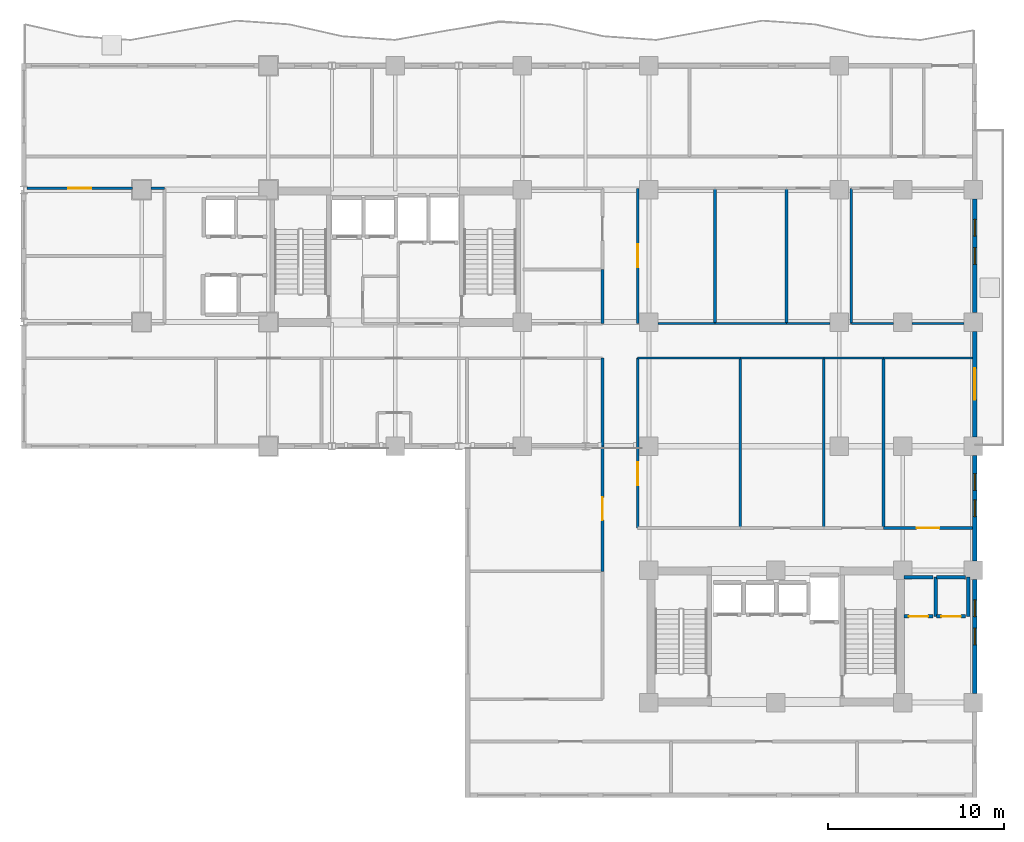
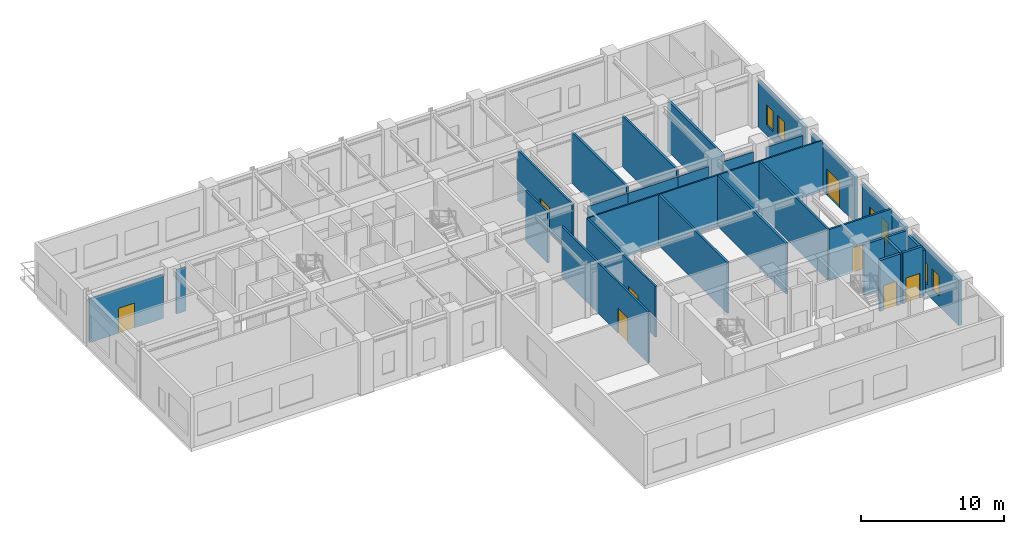
# One storey, part 7 of 14: 33 walls, 8 doors, 6 windows, 14 openings.
"""IFC4 building model written with IfcOpenShell, lengths in metres."""

from ifc_helpers import new_model, si_unit, direction, frame, frame_2d, origin, place, context, subcontext, project, spatial, rectangle, extrude, material, layer, layer_set, type_object, element, fill, save


model = new_model("IFC4")

# Units and contexts
model_context = context("Model", 3, precision=1e-05, world=origin(), true_north=direction((0.0, 1.0)))
body_context = subcontext(model_context, "Body", "Model", "MODEL_VIEW")
ifc_project = project(units=[si_unit("LENGTHUNIT", "METRE"), si_unit("AREAUNIT", "SQUARE_METRE"), si_unit("VOLUMEUNIT", "CUBIC_METRE"), si_unit("PLANEANGLEUNIT", "RADIAN"), si_unit("MASSUNIT", "GRAM", prefix="KILO")], contexts=[model_context])

# Site, building, storey
site_placement = place(None, origin())
site = spatial("IfcSite", under=ifc_project, at=site_placement, CompositionType="ELEMENT")
building_placement = place(site_placement, origin())
building = spatial("IfcBuilding", under=site, at=building_placement, Name="Kaliganga Portal Commons", CompositionType="ELEMENT")
storey_placement = place(building_placement, frame((0.0, 0.0, 135.60009765625)))
storey = spatial("IfcBuildingStorey", under=building, at=storey_placement, Name="L34", CompositionType="ELEMENT", Elevation=135.60009765625)

# Wall, openings, windows
ifc_material_1 = material(Name="Insulated Aluminium-Clad Spandrel Assembly", Category="aluminium")
ifc_layer_1 = layer(ifc_material_1, 0.260009765625)
ifc_layer_set_1 = layer_set([ifc_layer_1], Name="Insulated Aluminium-Clad Spandrel Assembly")
wall_type_1 = type_object("IfcWallType", Name="WL-EXT-SPAND-260", PredefinedType="STANDARD", material=ifc_layer_set_1)
wall_1_placement = place(storey_placement, frame((54.5, 14.02392578125, 0.0), z_axis=(0.0, 0.0, 1.0), x_axis=(0.0, -1.0, 0.0)))
wall_1 = element("IfcWall", 1, at=wall_1_placement, inside=storey, type_object=wall_type_1, Name="Exterior Envelope Wall L34 P1-E01-S2", PredefinedType="STANDARD", context=body_context, shape_type="SweptSolid", body=[
    extrude(rectangle(XDim=6.447998046875, YDim=0.260009765625, at=frame_2d((3.22412109375, 0.0))), origin(), (0.0, 0.0, 1.0), 3.889892578125),
])
opening_1_placement = place(wall_1_placement, frame((2.7490234375, 0.0, 0.85009765625)))
opening_1 = element("IfcOpeningElement", 2, at=opening_1_placement, cuts=wall_1, Name="Opening W-04", PredefinedType="OPENING", context=body_context, shape_type="SweptSolid", body=[
    extrude(rectangle(XDim=0.949951171875, YDim=1.75, at=frame_2d((0.47509765625, 0.875))), frame((0.0, 0.14013671875, 0.0), z_axis=(0.0, -1.0, 0.0), x_axis=(1.0, 0.0, 0.0)), (0.0, 0.0, 1.0), 0.280029296875),
])
opening_2_placement = place(wall_1_placement, frame((1.14990234375, 0.0, 0.85009765625)))
opening_2 = element("IfcOpeningElement", 3, at=opening_2_placement, cuts=wall_1, Name="Opening W-04", PredefinedType="OPENING", context=body_context, shape_type="SweptSolid", body=[
    extrude(rectangle(XDim=0.949951171875, YDim=1.75, at=frame_2d((0.47509765625, 0.875))), frame((0.0, 0.14013671875, 0.0), z_axis=(0.0, -1.0, 0.0), x_axis=(1.0, 0.0, 0.0)), (0.0, 0.0, 1.0), 0.280029296875),
])
ifc_material_2 = material(Name="Thermally Broken Aluminium and Low-E Double Glazing", Category="aluminium")
window_type = type_object("IfcWindowType", Name="WIN-NARROW-950", PartitioningType="SINGLE_PANEL", PredefinedType="WINDOW", material=ifc_material_2)
window_1_placement = place(opening_1_placement, origin())
window_1 = element("IfcWindow", 4, at=window_1_placement, inside=storey, type_object=window_type, Name="Facade Window L34-P1E01S2-N0", OverallHeight=1.75, OverallWidth=0.949951171875, PartitioningType="SINGLE_PANEL", PredefinedType="WINDOW", context=body_context, shape_type="SweptSolid", body=[
    extrude(rectangle(XDim=0.949951171875, YDim=1.75, at=frame_2d((0.47509765625, 0.875))), frame((0.0, 0.030029296875, 0.0), z_axis=(0.0, -1.0, 0.0), x_axis=(1.0, 0.0, 0.0)), (0.0, 0.0, 1.0), 0.06005859375),
])
fill(opening_1, window_1)
window_2_placement = place(opening_2_placement, origin())
window_2 = element("IfcWindow", 5, at=window_2_placement, inside=storey, type_object=window_type, Name="Facade Window L34-P1E01S2-N1", OverallHeight=1.75, OverallWidth=0.949951171875, PartitioningType="SINGLE_PANEL", PredefinedType="WINDOW", context=body_context, shape_type="SweptSolid", body=[
    extrude(rectangle(XDim=0.949951171875, YDim=1.75, at=frame_2d((0.47509765625, 0.875))), frame((0.0, 0.030029296875, 0.0), z_axis=(0.0, -1.0, 0.0), x_axis=(1.0, 0.0, 0.0)), (0.0, 0.0, 1.0), 0.06005859375),
])
fill(opening_2, window_2)

wall_2_placement = place(storey_placement, frame((54.5, 21.073974609375, 0.0), z_axis=(0.0, 0.0, 1.0), x_axis=(0.0, -1.0, 0.0)))
wall_2 = element("IfcWall", 6, at=wall_2_placement, inside=storey, type_object=wall_type_1, Name="Exterior Envelope Wall L34 P1-E01-S3", PredefinedType="STANDARD", context=body_context, shape_type="SweptSolid", body=[
    extrude(rectangle(XDim=5.998046875, YDim=0.260009765625, at=frame_2d((2.9990234375, 0.0))), origin(), (0.0, 0.0, 1.0), 3.889892578125),
])
opening_3_placement = place(wall_2_placement, frame((2.52392578125, 0.0, 0.85009765625)))
opening_3 = element("IfcOpeningElement", 7, at=opening_3_placement, cuts=wall_2, Name="Opening W-04", PredefinedType="OPENING", context=body_context, shape_type="SweptSolid", body=[
    extrude(rectangle(XDim=0.949951171875, YDim=1.75, at=frame_2d((0.47509765625, 0.875))), frame((0.0, 0.14013671875, 0.0), z_axis=(0.0, -1.0, 0.0), x_axis=(1.0, 0.0, 0.0)), (0.0, 0.0, 1.0), 0.280029296875),
])
opening_4_placement = place(wall_2_placement, frame((1.03662109375, 0.0, 0.85009765625)))
opening_4 = element("IfcOpeningElement", 8, at=opening_4_placement, cuts=wall_2, Name="Opening W-04", PredefinedType="OPENING", context=body_context, shape_type="SweptSolid", body=[
    extrude(rectangle(XDim=0.949951171875, YDim=1.75, at=frame_2d((0.47509765625, 0.875))), frame((0.0, 0.14013671875, 0.0), z_axis=(0.0, -1.0, 0.0), x_axis=(1.0, 0.0, 0.0)), (0.0, 0.0, 1.0), 0.280029296875),
])
window_3_placement = place(opening_3_placement, origin())
window_3 = element("IfcWindow", 9, at=window_3_placement, inside=storey, type_object=window_type, Name="Facade Window L34-P1E01S3-N0", OverallHeight=1.75, OverallWidth=0.949951171875, PartitioningType="SINGLE_PANEL", PredefinedType="WINDOW", context=body_context, shape_type="SweptSolid", body=[
    extrude(rectangle(XDim=0.949951171875, YDim=1.75, at=frame_2d((0.47509765625, 0.875))), frame((0.0, 0.030029296875, 0.0), z_axis=(0.0, -1.0, 0.0), x_axis=(1.0, 0.0, 0.0)), (0.0, 0.0, 1.0), 0.06005859375),
])
fill(opening_3, window_3)
window_4_placement = place(opening_4_placement, origin())
window_4 = element("IfcWindow", 10, at=window_4_placement, inside=storey, type_object=window_type, Name="Facade Window L34-P1E01S3-N1", OverallHeight=1.75, OverallWidth=0.949951171875, PartitioningType="SINGLE_PANEL", PredefinedType="WINDOW", context=body_context, shape_type="SweptSolid", body=[
    extrude(rectangle(XDim=0.949951171875, YDim=1.75, at=frame_2d((0.47509765625, 0.875))), frame((0.0, 0.030029296875, 0.0), z_axis=(0.0, -1.0, 0.0), x_axis=(1.0, 0.0, 0.0)), (0.0, 0.0, 1.0), 0.06005859375),
])
fill(opening_4, window_4)

# Wall, opening, door
wall_3_placement = place(storey_placement, frame((54.5, 28.1240234375, 0.0), z_axis=(0.0, 0.0, 1.0), x_axis=(0.0, -1.0, 0.0)))
wall_3 = element("IfcWall", 11, at=wall_3_placement, inside=storey, type_object=wall_type_1, Name="Exterior Envelope Wall L34 P1-E01-S4", PredefinedType="STANDARD", context=body_context, shape_type="SweptSolid", body=[
    extrude(rectangle(XDim=5.998046875, YDim=0.260009765625, at=frame_2d((2.9990234375, 0.0))), origin(), (0.0, 0.0, 1.0), 3.889892578125),
])
opening_5_placement = place(wall_3_placement, frame((2.09912109375, 0.0, 0.0)))
opening_5 = element("IfcOpeningElement", 12, at=opening_5_placement, cuts=wall_3, Name="Opening TD-01", PredefinedType="OPENING", context=body_context, shape_type="SweptSolid", body=[
    extrude(rectangle(XDim=1.800048828125, YDim=2.199951171875, at=frame_2d((0.89990234375, 1.10009765625))), frame((0.0, 0.14013671875, 0.0), z_axis=(0.0, -1.0, 0.0), x_axis=(1.0, 0.0, 0.0)), (0.0, 0.0, 1.0), 0.280029296875),
])
ifc_material_3 = material(Name="Anodized Aluminium and Laminated Safety Glass", Category="aluminium")
door_type_1 = type_object("IfcDoorType", Name="DR-TERR-1800", OperationType="DOUBLE_DOOR_SINGLE_SWING", PredefinedType="DOOR", material=ifc_material_3)
door_1_placement = place(opening_5_placement, origin())
door_1 = element("IfcDoor", 13, at=door_1_placement, inside=storey, type_object=door_type_1, Name="Terrace Access Door L34 skygarden_l34", OperationType="DOUBLE_DOOR_SINGLE_SWING", OverallHeight=2.199951171875, OverallWidth=1.800048828125, PredefinedType="DOOR", context=body_context, shape_type="SweptSolid", body=[
    extrude(rectangle(XDim=1.800048828125, YDim=2.199951171875, at=frame_2d((0.89990234375, 1.10009765625))), frame((0.0, 0.02490234375, 0.0), z_axis=(0.0, -1.0, 0.0), x_axis=(1.0, 0.0, 0.0)), (0.0, 0.0, 1.0), 0.050048828125),
])
fill(opening_5, door_1)

# Wall, openings, windows
wall_4_placement = place(storey_placement, frame((54.5, 35.6240234375, 0.0), z_axis=(0.0, 0.0, 1.0), x_axis=(0.0, -1.0, 0.0)))
wall_4 = element("IfcWall", 14, at=wall_4_placement, inside=storey, type_object=wall_type_1, Name="Exterior Envelope Wall L34 P1-E01-S5", PredefinedType="STANDARD", context=body_context, shape_type="SweptSolid", body=[
    extrude(rectangle(XDim=6.447998046875, YDim=0.260009765625, at=frame_2d((3.22412109375, 0.0))), origin(), (0.0, 0.0, 1.0), 3.889892578125),
])
opening_6_placement = place(wall_4_placement, frame((2.7490234375, 0.0, 0.85009765625)))
opening_6 = element("IfcOpeningElement", 15, at=opening_6_placement, cuts=wall_4, Name="Opening W-04", PredefinedType="OPENING", context=body_context, shape_type="SweptSolid", body=[
    extrude(rectangle(XDim=0.949951171875, YDim=1.75, at=frame_2d((0.47509765625, 0.875))), frame((0.0, 0.14013671875, 0.0), z_axis=(0.0, -1.0, 0.0), x_axis=(1.0, 0.0, 0.0)), (0.0, 0.0, 1.0), 0.280029296875),
])
opening_7_placement = place(wall_4_placement, frame((1.14990234375, 0.0, 0.85009765625)))
opening_7 = element("IfcOpeningElement", 16, at=opening_7_placement, cuts=wall_4, Name="Opening W-04", PredefinedType="OPENING", context=body_context, shape_type="SweptSolid", body=[
    extrude(rectangle(XDim=0.949951171875, YDim=1.75, at=frame_2d((0.47509765625, 0.875))), frame((0.0, 0.14013671875, 0.0), z_axis=(0.0, -1.0, 0.0), x_axis=(1.0, 0.0, 0.0)), (0.0, 0.0, 1.0), 0.280029296875),
])
window_5_placement = place(opening_6_placement, origin())
window_5 = element("IfcWindow", 17, at=window_5_placement, inside=storey, type_object=window_type, Name="Facade Window L34-P1E01S5-N0", OverallHeight=1.75, OverallWidth=0.949951171875, PartitioningType="SINGLE_PANEL", PredefinedType="WINDOW", context=body_context, shape_type="SweptSolid", body=[
    extrude(rectangle(XDim=0.949951171875, YDim=1.75, at=frame_2d((0.47509765625, 0.875))), frame((0.0, 0.030029296875, 0.0), z_axis=(0.0, -1.0, 0.0), x_axis=(1.0, 0.0, 0.0)), (0.0, 0.0, 1.0), 0.06005859375),
])
fill(opening_6, window_5)
window_6_placement = place(opening_7_placement, origin())
window_6 = element("IfcWindow", 18, at=window_6_placement, inside=storey, type_object=window_type, Name="Facade Window L34-P1E01S5-N1", OverallHeight=1.75, OverallWidth=0.949951171875, PartitioningType="SINGLE_PANEL", PredefinedType="WINDOW", context=body_context, shape_type="SweptSolid", body=[
    extrude(rectangle(XDim=0.949951171875, YDim=1.75, at=frame_2d((0.47509765625, 0.875))), frame((0.0, 0.030029296875, 0.0), z_axis=(0.0, -1.0, 0.0), x_axis=(1.0, 0.0, 0.0)), (0.0, 0.0, 1.0), 0.06005859375),
])
fill(opening_7, window_6)

# Wall, opening, door
ifc_material_4 = material(Name="Fire-Rated Gypsum Board on Steel Stud", Category="steel")
ifc_layer_2 = layer(ifc_material_4, 0.14990234375)
ifc_layer_set_2 = layer_set([ifc_layer_2], Name="Fire-Rated Gypsum Board on Steel Stud")
wall_type_2 = type_object("IfcWallType", Name="WL-PART-CORR-150", PredefinedType="PARTITIONING", material=ifc_layer_set_2)
wall_5_placement = place(storey_placement, frame((35.360107421875, 16.9599609375, 0.0), z_axis=(0.0, 0.0, 1.0), x_axis=(0.0, 1.0, 0.0)))
wall_5 = element("IfcWall", 19, at=wall_5_placement, inside=storey, type_object=wall_type_2, Name="Interior Partition L34-010", PredefinedType="PARTITIONING", context=body_context, shape_type="SweptSolid", body=[
    extrude(rectangle(XDim=9.64013671875, YDim=0.14990234375, at=frame_2d((4.820068359375, 0.0))), origin(), (0.0, 0.0, 1.0), 4.33984375),
])
opening_8_placement = place(wall_5_placement, frame((2.434814453125, 0.0, 0.0)))
opening_8 = element("IfcOpeningElement", 20, at=opening_8_placement, cuts=wall_5, Name="Opening RD-03", PredefinedType="OPENING", context=body_context, shape_type="SweptSolid", body=[
    extrude(rectangle(XDim=1.300048828125, YDim=2.1201171875, at=frame_2d((0.64990234375, 1.06005859375))), frame((0.0, 0.0849609375, 0.0), z_axis=(0.0, -1.0, 0.0), x_axis=(1.0, 0.0, 0.0)), (0.0, 0.0, 1.0), 0.169921875),
])
ifc_material_5 = material(Name="Glazed Timber Seminar Vision Door", Category="wood")
door_type_2 = type_object("IfcDoorType", Name="DR-STUDY-1300", OperationType="DOUBLE_DOOR_SINGLE_SWING", PredefinedType="DOOR", material=ifc_material_5)
door_2_placement = place(opening_8_placement, origin())
door_2 = element("IfcDoor", 21, at=door_2_placement, inside=storey, type_object=door_type_2, Name="Interior Door L34-BM01", OperationType="DOUBLE_DOOR_SINGLE_SWING", OverallHeight=2.1201171875, OverallWidth=1.300048828125, PredefinedType="DOOR", context=body_context, shape_type="SweptSolid", body=[
    extrude(rectangle(XDim=1.300048828125, YDim=2.1201171875, at=frame_2d((0.64990234375, 1.06005859375))), frame((0.0, 0.02490234375, 0.0), z_axis=(0.0, -1.0, 0.0), x_axis=(1.0, 0.0, 0.0)), (0.0, 0.0, 1.0), 0.050048828125),
])
fill(opening_8, door_2)

wall_6_placement = place(storey_placement, frame((0.701904296875, 36.239990234375, 0.0), z_axis=(0.0, 0.0, 1.0), x_axis=(1.0, 0.0, 0.0)))
wall_6 = element("IfcWall", 22, at=wall_6_placement, inside=storey, type_object=wall_type_2, Name="Interior Partition L34-014", PredefinedType="PARTITIONING", context=body_context, shape_type="SweptSolid", body=[
    extrude(rectangle(XDim=5.97314453125, YDim=0.14990234375, at=frame_2d((2.986572265625, 0.0))), origin(), (0.0, 0.0, 1.0), 3.739990234375),
])
opening_9_placement = place(wall_6_placement, frame((2.33642578125, 0.0, 0.0)))
opening_9 = element("IfcOpeningElement", 23, at=opening_9_placement, cuts=wall_6, Name="Opening RD-03", PredefinedType="OPENING", context=body_context, shape_type="SweptSolid", body=[
    extrude(rectangle(XDim=1.300048828125, YDim=2.1201171875, at=frame_2d((0.64990234375, 1.06005859375))), frame((0.0, 0.0849609375, 0.0), z_axis=(0.0, -1.0, 0.0), x_axis=(1.0, 0.0, 0.0)), (0.0, 0.0, 1.0), 0.169921875),
])
door_3_placement = place(opening_9_placement, origin())
door_3 = element("IfcDoor", 24, at=door_3_placement, inside=storey, type_object=door_type_2, Name="Interior Door L34-AW02", OperationType="DOUBLE_DOOR_SINGLE_SWING", OverallHeight=2.1201171875, OverallWidth=1.300048828125, PredefinedType="DOOR", context=body_context, shape_type="SweptSolid", body=[
    extrude(rectangle(XDim=1.300048828125, YDim=2.1201171875, at=frame_2d((0.64990234375, 1.06005859375))), frame((0.0, 0.02490234375, 0.0), z_axis=(0.0, -1.0, 0.0), x_axis=(1.0, 0.0, 0.0)), (0.0, 0.0, 1.0), 0.050048828125),
])
fill(opening_9, door_3)

# Wall
wall_7_placement = place(storey_placement, frame((7.72509765625, 36.239990234375, 0.0), z_axis=(0.0, 0.0, 1.0), x_axis=(1.0, 0.0, 0.0)))
element("IfcWall", 25, at=wall_7_placement, inside=storey, type_object=wall_type_2, Name="Interior Partition L34-015", PredefinedType="PARTITIONING", context=body_context, shape_type="SweptSolid", body=[
    extrude(rectangle(XDim=0.77490234375, YDim=0.14990234375, at=frame_2d((0.387451171875, 0.0))), origin(), (0.0, 0.0, 1.0), 3.739990234375),
])

# Wall, opening, door
wall_8_placement = place(storey_placement, frame((35.360107421875, 28.56005859375, 0.0), z_axis=(0.0, 0.0, 1.0), x_axis=(0.0, 1.0, 0.0)))
wall_8 = element("IfcWall", 26, at=wall_8_placement, inside=storey, type_object=wall_type_2, Name="Interior Partition L34-017", PredefinedType="PARTITIONING", context=body_context, shape_type="SweptSolid", body=[
    extrude(rectangle(XDim=7.679931640625, YDim=0.14990234375, at=frame_2d((3.83984375, 0.0))), origin(), (0.0, 0.0, 1.0), 4.33984375),
])
opening_10_placement = place(wall_8_placement, frame((3.18994140625, 0.0, 0.0)))
opening_10 = element("IfcOpeningElement", 27, at=opening_10_placement, cuts=wall_8, Name="Opening RD-03", PredefinedType="OPENING", context=body_context, shape_type="SweptSolid", body=[
    extrude(rectangle(XDim=1.300048828125, YDim=2.1201171875, at=frame_2d((0.64990234375, 1.06005859375))), frame((0.0, 0.0849609375, 0.0), z_axis=(0.0, -1.0, 0.0), x_axis=(1.0, 0.0, 0.0)), (0.0, 0.0, 1.0), 0.169921875),
])
door_4_placement = place(opening_10_placement, origin())
door_4 = element("IfcDoor", 28, at=door_4_placement, inside=storey, type_object=door_type_2, Name="Interior Door L34-BK01", OperationType="DOUBLE_DOOR_SINGLE_SWING", OverallHeight=2.1201171875, OverallWidth=1.300048828125, PredefinedType="DOOR", context=body_context, shape_type="SweptSolid", body=[
    extrude(rectangle(XDim=1.300048828125, YDim=2.1201171875, at=frame_2d((0.64990234375, 1.06005859375))), frame((0.0, 0.02490234375, 0.0), z_axis=(0.0, -1.0, 0.0), x_axis=(1.0, 0.0, 0.0)), (0.0, 0.0, 1.0), 0.050048828125),
])
fill(opening_10, door_4)

wall_9_placement = place(storey_placement, frame((33.360107421875, 14.5, 0.0), z_axis=(0.0, 0.0, 1.0), x_axis=(0.0, 1.0, 0.0)))
wall_9 = element("IfcWall", 29, at=wall_9_placement, inside=storey, type_object=wall_type_2, Name="Interior Partition L34-020", PredefinedType="PARTITIONING", context=body_context, shape_type="SweptSolid", body=[
    extrude(rectangle(XDim=7.10009765625, YDim=0.14990234375, at=frame_2d((3.550048828125, 0.0))), origin(), (0.0, 0.0, 1.0), 4.33984375),
])
opening_11_placement = place(wall_9_placement, frame((2.89990234375, 0.0, 0.0)))
opening_11 = element("IfcOpeningElement", 30, at=opening_11_placement, cuts=wall_9, Name="Opening RD-03", PredefinedType="OPENING", context=body_context, shape_type="SweptSolid", body=[
    extrude(rectangle(XDim=1.300048828125, YDim=2.1201171875, at=frame_2d((0.64990234375, 1.06005859375))), frame((0.0, 0.0849609375, 0.0), z_axis=(0.0, -1.0, 0.0), x_axis=(1.0, 0.0, 0.0)), (0.0, 0.0, 1.0), 0.169921875),
])
door_5_placement = place(opening_11_placement, origin())
door_5 = element("IfcDoor", 31, at=door_5_placement, inside=storey, type_object=door_type_2, Name="Interior Door L34-KW02", OperationType="DOUBLE_DOOR_SINGLE_SWING", OverallHeight=2.1201171875, OverallWidth=1.300048828125, PredefinedType="DOOR", context=body_context, shape_type="SweptSolid", body=[
    extrude(rectangle(XDim=1.300048828125, YDim=2.1201171875, at=frame_2d((0.64990234375, 1.06005859375))), frame((0.0, 0.02490234375, 0.0), z_axis=(0.0, -1.0, 0.0), x_axis=(1.0, 0.0, 0.0)), (0.0, 0.0, 1.0), 0.050048828125),
])
fill(opening_11, door_5)

wall_10_placement = place(storey_placement, frame((49.300048828125, 16.9599609375, 0.0), z_axis=(0.0, 0.0, 1.0), x_axis=(1.0, 0.0, 0.0)))
wall_10 = element("IfcWall", 32, at=wall_10_placement, inside=storey, type_object=wall_type_2, Name="Interior Partition L34-026", PredefinedType="PARTITIONING", context=body_context, shape_type="SweptSolid", body=[
    extrude(rectangle(XDim=5.06787109375, YDim=0.14990234375, at=frame_2d((2.533935546875, 0.0))), origin(), (0.0, 0.0, 1.0), 4.33984375),
])
opening_12_placement = place(wall_10_placement, frame((1.884033203125, 0.0, 0.0)))
opening_12 = element("IfcOpeningElement", 33, at=opening_12_placement, cuts=wall_10, Name="Opening RD-03", PredefinedType="OPENING", context=body_context, shape_type="SweptSolid", body=[
    extrude(rectangle(XDim=1.300048828125, YDim=2.1201171875, at=frame_2d((0.64990234375, 1.06005859375))), frame((0.0, 0.0849609375, 0.0), z_axis=(0.0, -1.0, 0.0), x_axis=(1.0, 0.0, 0.0)), (0.0, 0.0, 1.0), 0.169921875),
])
door_6_placement = place(opening_12_placement, origin())
door_6 = element("IfcDoor", 34, at=door_6_placement, inside=storey, type_object=door_type_2, Name="Interior Door L34-BM04", OperationType="DOUBLE_DOOR_SINGLE_SWING", OverallHeight=2.1201171875, OverallWidth=1.300048828125, PredefinedType="DOOR", context=body_context, shape_type="SweptSolid", body=[
    extrude(rectangle(XDim=1.300048828125, YDim=2.1201171875, at=frame_2d((0.64990234375, 1.06005859375))), frame((0.0, 0.02490234375, 0.0), z_axis=(0.0, -1.0, 0.0), x_axis=(1.0, 0.0, 0.0)), (0.0, 0.0, 1.0), 0.050048828125),
])
fill(opening_12, door_6)

# Walls
wall_11_placement = place(storey_placement, frame((33.360107421875, 21.60009765625, 0.0), z_axis=(0.0, 0.0, 1.0), x_axis=(0.0, 1.0, 0.0)))
element("IfcWall", 35, at=wall_11_placement, inside=storey, type_object=wall_type_2, Name="Interior Partition L34-027", PredefinedType="PARTITIONING", context=body_context, shape_type="SweptSolid", body=[
    extrude(rectangle(XDim=5.0, YDim=0.14990234375, at=frame_2d((2.5, 0.0))), origin(), (0.0, 0.0, 1.0), 4.33984375),
])
wall_12_placement = place(storey_placement, frame((33.360107421875, 28.56005859375, 0.0), z_axis=(0.0, 0.0, 1.0), x_axis=(0.0, 1.0, 0.0)))
element("IfcWall", 36, at=wall_12_placement, inside=storey, type_object=wall_type_2, Name="Interior Partition L34-038", PredefinedType="PARTITIONING", context=body_context, shape_type="SweptSolid", body=[
    extrude(rectangle(XDim=3.079833984375, YDim=0.14990234375, at=frame_2d((1.5400390625, 0.0))), origin(), (0.0, 0.0, 1.0), 4.33984375),
])
ifc_material_6 = material(Name="Moisture-Resistant Gypsum Partition", Category="gypsum")
ifc_layer_3 = layer(ifc_material_6, 0.114990234375)
ifc_layer_set_3 = layer_set([ifc_layer_3], Name="Moisture-Resistant Gypsum Partition")
wall_type_3 = type_object("IfcWallType", Name="WL-PART-ROOM-115", PredefinedType="PARTITIONING", material=ifc_layer_set_3)
wall_13_placement = place(storey_placement, frame((47.47998046875, 28.56005859375, 0.0), z_axis=(0.0, 0.0, 1.0), x_axis=(1.0, 0.0, 0.0)))
element("IfcWall", 37, at=wall_13_placement, inside=storey, type_object=wall_type_3, Name="Interior Partition L34-054", PredefinedType="PARTITIONING", context=body_context, shape_type="SweptSolid", body=[
    extrude(rectangle(XDim=2.39501953125, YDim=0.114990234375, at=frame_2d((1.197509765625, 0.0))), origin(), (0.0, 0.0, 1.0), 3.739990234375),
])
wall_14_placement = place(storey_placement, frame((50.925048828125, 28.56005859375, 0.0), z_axis=(0.0, 0.0, 1.0), x_axis=(1.0, 0.0, 0.0)))
element("IfcWall", 38, at=wall_14_placement, inside=storey, type_object=wall_type_3, Name="Interior Partition L34-055", PredefinedType="PARTITIONING", context=body_context, shape_type="SweptSolid", body=[
    extrude(rectangle(XDim=2.949951171875, YDim=0.114990234375, at=frame_2d((1.47509765625, 0.0))), origin(), (0.0, 0.0, 1.0), 3.739990234375),
])
wall_15_placement = place(storey_placement, frame((35.360107421875, 26.60009765625, 0.0), z_axis=(0.0, 0.0, 1.0), x_axis=(1.0, 0.0, 0.0)))
element("IfcWall", 39, at=wall_15_placement, inside=storey, type_object=wall_type_3, Name="Interior Partition L34-056", PredefinedType="PARTITIONING", context=body_context, shape_type="SweptSolid", body=[
    extrude(rectangle(XDim=5.81982421875, YDim=0.114990234375, at=frame_2d((2.909912109375, 0.0))), origin(), (0.0, 0.0, 1.0), 4.33984375),
])
wall_16_placement = place(storey_placement, frame((49.300048828125, 26.60009765625, 0.0), z_axis=(0.0, 0.0, 1.0), x_axis=(1.0, 0.0, 0.0)))
element("IfcWall", 40, at=wall_16_placement, inside=storey, type_object=wall_type_3, Name="Interior Partition L34-057", PredefinedType="PARTITIONING", context=body_context, shape_type="SweptSolid", body=[
    extrude(rectangle(XDim=5.06787109375, YDim=0.114990234375, at=frame_2d((2.533935546875, 0.0))), origin(), (0.0, 0.0, 1.0), 4.33984375),
])
wall_17_placement = place(storey_placement, frame((41.179931640625, 26.60009765625, 0.0), z_axis=(0.0, 0.0, 1.0), x_axis=(1.0, 0.0, 0.0)))
element("IfcWall", 41, at=wall_17_placement, inside=storey, type_object=wall_type_3, Name="Interior Partition L34-065", PredefinedType="PARTITIONING", context=body_context, shape_type="SweptSolid", body=[
    extrude(rectangle(XDim=4.739990234375, YDim=0.114990234375, at=frame_2d((2.3701171875, 0.0))), origin(), (0.0, 0.0, 1.0), 4.33984375),
])
wall_18_placement = place(storey_placement, frame((36.52490234375, 28.56005859375, 0.0), z_axis=(0.0, 0.0, 1.0), x_axis=(1.0, 0.0, 0.0)))
element("IfcWall", 42, at=wall_18_placement, inside=storey, type_object=wall_type_3, Name="Interior Partition L34-067", PredefinedType="PARTITIONING", context=body_context, shape_type="SweptSolid", body=[
    extrude(rectangle(XDim=3.215087890625, YDim=0.114990234375, at=frame_2d((1.607421875, 0.0))), origin(), (0.0, 0.0, 1.0), 3.739990234375),
])
wall_19_placement = place(storey_placement, frame((39.739990234375, 28.56005859375, 0.0), z_axis=(0.0, 0.0, 1.0), x_axis=(1.0, 0.0, 0.0)))
element("IfcWall", 43, at=wall_19_placement, inside=storey, type_object=wall_type_3, Name="Interior Partition L34-068", PredefinedType="PARTITIONING", context=body_context, shape_type="SweptSolid", body=[
    extrude(rectangle(XDim=4.06005859375, YDim=0.114990234375, at=frame_2d((2.030029296875, 0.0))), origin(), (0.0, 0.0, 1.0), 3.739990234375),
])
wall_20_placement = place(storey_placement, frame((43.800048828125, 28.56005859375, 0.0), z_axis=(0.0, 0.0, 1.0), x_axis=(1.0, 0.0, 0.0)))
element("IfcWall", 44, at=wall_20_placement, inside=storey, type_object=wall_type_3, Name="Interior Partition L34-069", PredefinedType="PARTITIONING", context=body_context, shape_type="SweptSolid", body=[
    extrude(rectangle(XDim=2.474853515625, YDim=0.114990234375, at=frame_2d((1.2373046875, 0.0))), origin(), (0.0, 0.0, 1.0), 3.739990234375),
])
wall_21_placement = place(storey_placement, frame((45.919921875, 26.60009765625, 0.0), z_axis=(0.0, 0.0, 1.0), x_axis=(1.0, 0.0, 0.0)))
element("IfcWall", 45, at=wall_21_placement, inside=storey, type_object=wall_type_3, Name="Interior Partition L34-071", PredefinedType="PARTITIONING", context=body_context, shape_type="SweptSolid", body=[
    extrude(rectangle(XDim=3.380126953125, YDim=0.114990234375, at=frame_2d((1.68994140625, 0.0))), origin(), (0.0, 0.0, 1.0), 4.33984375),
])
ifc_material_7 = material(Name="Twin-Stud Acoustic Gypsum Partition", Category="gypsum")
ifc_layer_4 = layer(ifc_material_7, 0.1650390625)
ifc_layer_set_4 = layer_set([ifc_layer_4], Name="Twin-Stud Acoustic Gypsum Partition")
wall_type_4 = type_object("IfcWallType", Name="WL-PART-UNIT-165", PredefinedType="PARTITIONING", material=ifc_layer_set_4)
for number, where, z_axis, x_axis, name in (
    (46, (41.179931640625, 16.9599609375, 0.0), (0.0, 0.0, 1.0), (0.0, 1.0, 0.0), "Interior Partition L34-045"),
    (47, (45.919921875, 16.9599609375, 0.0), (0.0, 0.0, 1.0), (0.0, 1.0, 0.0), "Interior Partition L34-046"),
    (48, (49.300048828125, 16.9599609375, 0.0), (0.0, 0.0, 1.0), (0.0, 1.0, 0.0), "Interior Partition L34-047"),
):
    element("IfcWall", number, at=place(storey_placement, frame(where, z_axis=z_axis, x_axis=x_axis)), inside=storey, type_object=wall_type_4, Name=name, PredefinedType="PARTITIONING", context=body_context, shape_type="SweptSolid", body=[
        extrude(rectangle(XDim=9.64013671875, YDim=0.1650390625, at=frame_2d((4.820068359375, 0.0))), origin(), (0.0, 0.0, 1.0), 4.33984375),
    ])
for number, where, z_axis, x_axis, name in (
    (49, (39.739990234375, 28.56005859375, 0.0), (0.0, 0.0, 1.0), (0.0, 1.0, 0.0), "Interior Partition L34-049"),
    (50, (43.800048828125, 28.56005859375, 0.0), (0.0, 0.0, 1.0), (0.0, 1.0, 0.0), "Interior Partition L34-050"),
    (51, (47.47998046875, 28.56005859375, 0.0), (0.0, 0.0, 1.0), (0.0, 1.0, 0.0), "Interior Partition L34-051"),
):
    element("IfcWall", number, at=place(storey_placement, frame(where, z_axis=z_axis, x_axis=x_axis)), inside=storey, type_object=wall_type_4, Name=name, PredefinedType="PARTITIONING", context=body_context, shape_type="SweptSolid", body=[
        extrude(rectangle(XDim=7.679931640625, YDim=0.1650390625, at=frame_2d((3.83984375, 0.0))), origin(), (0.0, 0.0, 1.0), 4.33984375),
    ])

# Wall, opening, door
ifc_material_8 = material(Name="Fire-Rated Shaftwall Masonry Assembly", Category="masonry")
ifc_layer_5 = layer(ifc_material_8, 0.199951171875)
ifc_layer_set_5 = layer_set([ifc_layer_5], Name="Fire-Rated Shaftwall Masonry Assembly")
wall_type_5 = type_object("IfcWallType", Name="WL-SHAFT-200", PredefinedType="PARTITIONING", material=ifc_layer_set_5)
wall_22_placement = place(storey_placement, frame((50.47509765625, 11.93505859375, 0.0), z_axis=(0.0, 0.0, 1.0), x_axis=(1.0, 0.0, 0.0)))
wall_22 = element("IfcWall", 52, at=wall_22_placement, inside=storey, type_object=wall_type_5, Name="Lift PL-B3 Hoistway Shaft Wall L34-S", PredefinedType="PARTITIONING", context=body_context, shape_type="SweptSolid", body=[
    extrude(rectangle(XDim=1.64990234375, YDim=0.199951171875, at=frame_2d((0.824951171875, 0.0))), origin(), (0.0, 0.0, 1.0), 4.33984375),
])
opening_13_placement = place(wall_22_placement, frame((0.27490234375, 0.0, 0.0)))
opening_13 = element("IfcOpeningElement", 53, at=opening_13_placement, cuts=wall_22, Name="Opening LD-01", PredefinedType="OPENING", context=body_context, shape_type="SweptSolid", body=[
    extrude(rectangle(XDim=1.10009765625, YDim=2.1201171875, at=frame_2d((0.550048828125, 1.06005859375))), frame((0.0, 0.10986328125, 0.0), z_axis=(0.0, -1.0, 0.0), x_axis=(1.0, 0.0, 0.0)), (0.0, 0.0, 1.0), 0.219970703125),
])
ifc_material_9 = material(Name="Brushed Stainless Steel 316 Lift Landing Door", Category="steel")
door_type_3 = type_object("IfcDoorType", Name="DR-LIFT-1100", OperationType="SLIDING_TO_LEFT", PredefinedType="DOOR", material=ifc_material_9)
door_7_placement = place(opening_13_placement, origin())
door_7 = element("IfcDoor", 54, at=door_7_placement, inside=storey, type_object=door_type_3, Name="Lift PL-B3 Sliding Landing Door L34", OperationType="SLIDING_TO_LEFT", OverallHeight=2.1201171875, OverallWidth=1.10009765625, PredefinedType="DOOR", context=body_context, shape_type="SweptSolid", body=[
    extrude(rectangle(XDim=1.10009765625, YDim=2.1201171875, at=frame_2d((0.550048828125, 1.06005859375))), frame((0.0, 0.02490234375, 0.0), z_axis=(0.0, -1.0, 0.0), x_axis=(1.0, 0.0, 0.0)), (0.0, 0.0, 1.0), 0.050048828125),
])
fill(opening_13, door_7)

# Walls
wall_23_placement = place(storey_placement, frame((50.47509765625, 14.1650390625, 0.0), z_axis=(0.0, 0.0, 1.0), x_axis=(1.0, 0.0, 0.0)))
element("IfcWall", 55, at=wall_23_placement, inside=storey, type_object=wall_type_5, Name="Lift PL-B3 Hoistway Shaft Wall L34-N", PredefinedType="PARTITIONING", context=body_context, shape_type="SweptSolid", body=[
    extrude(rectangle(XDim=1.64990234375, YDim=0.199951171875, at=frame_2d((0.824951171875, 0.0))), origin(), (0.0, 0.0, 1.0), 4.33984375),
])
wall_24_placement = place(storey_placement, frame((52.264892578125, 11.93505859375, 0.0), z_axis=(0.0, 0.0, 1.0), x_axis=(0.0, 1.0, 0.0)))
element("IfcWall", 56, at=wall_24_placement, inside=storey, type_object=wall_type_5, Name="Lift PL-B3 Hoistway Shaft Wall L34-E", PredefinedType="PARTITIONING", context=body_context, shape_type="SweptSolid", body=[
    extrude(rectangle(XDim=2.22998046875, YDim=0.199951171875, at=frame_2d((1.114990234375, 0.0))), origin(), (0.0, 0.0, 1.0), 4.33984375),
])

# Wall, opening, door
wall_25_placement = place(storey_placement, frame((52.324951171875, 11.93505859375, 0.0), z_axis=(0.0, 0.0, 1.0), x_axis=(1.0, 0.0, 0.0)))
wall_25 = element("IfcWall", 57, at=wall_25_placement, inside=storey, type_object=wall_type_5, Name="Lift PL-B4 Hoistway Shaft Wall L34-S", PredefinedType="PARTITIONING", context=body_context, shape_type="SweptSolid", body=[
    extrude(rectangle(XDim=1.650146484375, YDim=0.199951171875, at=frame_2d((0.8251953125, 0.0))), origin(), (0.0, 0.0, 1.0), 4.33984375),
])
opening_14_placement = place(wall_25_placement, frame((0.27490234375, 0.0, 0.0)))
opening_14 = element("IfcOpeningElement", 58, at=opening_14_placement, cuts=wall_25, Name="Opening LD-01", PredefinedType="OPENING", context=body_context, shape_type="SweptSolid", body=[
    extrude(rectangle(XDim=1.10009765625, YDim=2.1201171875, at=frame_2d((0.550048828125, 1.06005859375))), frame((0.0, 0.10986328125, 0.0), z_axis=(0.0, -1.0, 0.0), x_axis=(1.0, 0.0, 0.0)), (0.0, 0.0, 1.0), 0.219970703125),
])
door_8_placement = place(opening_14_placement, origin())
door_8 = element("IfcDoor", 59, at=door_8_placement, inside=storey, type_object=door_type_3, Name="Lift PL-B4 Sliding Landing Door L34", OperationType="SLIDING_TO_LEFT", OverallHeight=2.1201171875, OverallWidth=1.10009765625, PredefinedType="DOOR", context=body_context, shape_type="SweptSolid", body=[
    extrude(rectangle(XDim=1.10009765625, YDim=2.1201171875, at=frame_2d((0.550048828125, 1.06005859375))), frame((0.0, 0.02490234375, 0.0), z_axis=(0.0, -1.0, 0.0), x_axis=(1.0, 0.0, 0.0)), (0.0, 0.0, 1.0), 0.050048828125),
])
fill(opening_14, door_8)

# Walls
wall_26_placement = place(storey_placement, frame((52.324951171875, 14.1650390625, 0.0), z_axis=(0.0, 0.0, 1.0), x_axis=(1.0, 0.0, 0.0)))
element("IfcWall", 60, at=wall_26_placement, inside=storey, type_object=wall_type_5, Name="Lift PL-B4 Hoistway Shaft Wall L34-N", PredefinedType="PARTITIONING", context=body_context, shape_type="SweptSolid", body=[
    extrude(rectangle(XDim=1.650146484375, YDim=0.199951171875, at=frame_2d((0.8251953125, 0.0))), origin(), (0.0, 0.0, 1.0), 4.33984375),
])
wall_27_placement = place(storey_placement, frame((54.114990234375, 11.93505859375, 0.0), z_axis=(0.0, 0.0, 1.0), x_axis=(0.0, 1.0, 0.0)))
element("IfcWall", 61, at=wall_27_placement, inside=storey, type_object=wall_type_5, Name="Lift PL-B4 Hoistway Shaft Wall L34-E", PredefinedType="PARTITIONING", context=body_context, shape_type="SweptSolid", body=[
    extrude(rectangle(XDim=2.22998046875, YDim=0.199951171875, at=frame_2d((1.114990234375, 0.0))), origin(), (0.0, 0.0, 1.0), 3.889892578125),
])

save(model, "model.ifc")
